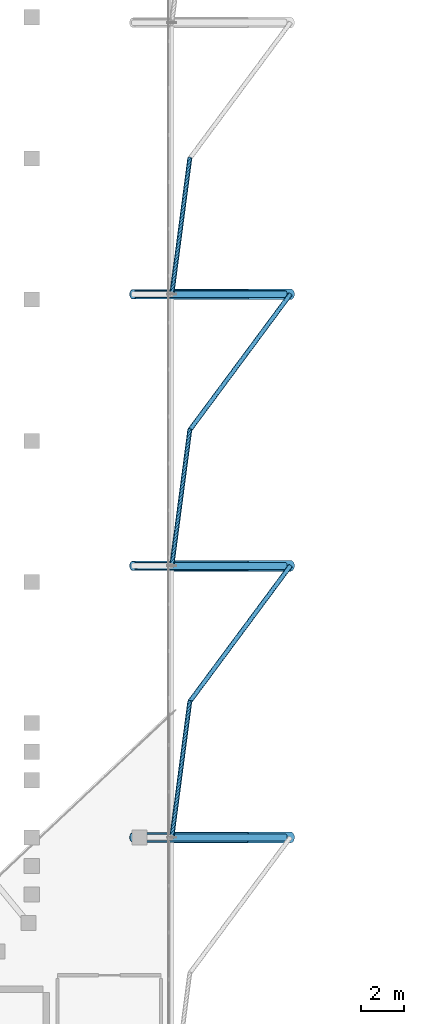
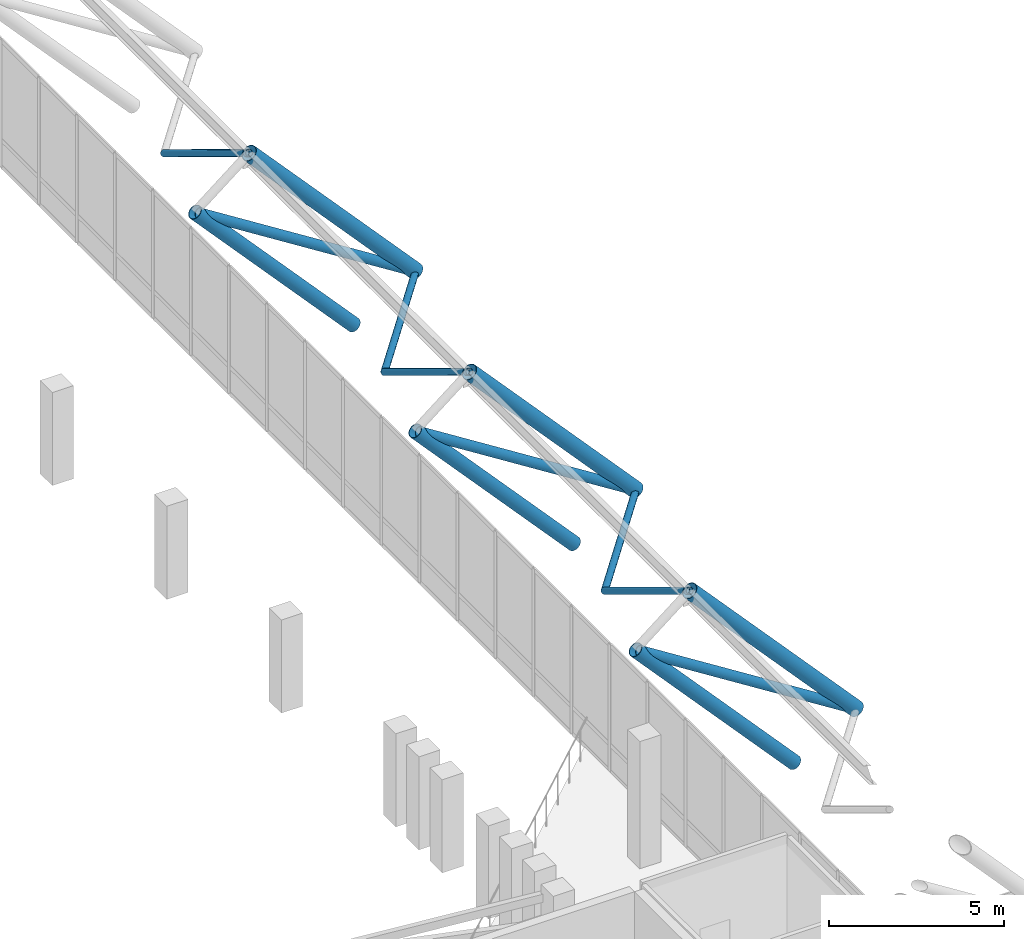
# One storey, part 21 of 79: 14 members.
"""IFC4 building model written with IfcOpenShell, lengths in metres."""

from ifc_helpers import new_model, si_unit, derived_unit, direction, frame, origin, origin_2d, place, context, subcontext, project, spatial, hollow_circle, extrude, material, material_profile, profile_set, type_object, element, save


model = new_model("IFC4")

# Units and contexts
model_context = context("Model", 3, precision=1e-05, world=origin(), true_north=direction((0.0, 1.0)))
body_context = subcontext(model_context, "Body", "Model", "MODEL_VIEW")
ifc_project = project(units=[si_unit("LENGTHUNIT", "METRE"), si_unit("AREAUNIT", "SQUARE_METRE"), si_unit("VOLUMEUNIT", "CUBIC_METRE"), si_unit("PLANEANGLEUNIT", "RADIAN"), si_unit("MASSUNIT", "GRAM", prefix="KILO"), derived_unit("THERMALTRANSMITTANCEUNIT", [(si_unit("MASSUNIT", "GRAM", prefix="KILO"), 1), (si_unit("TIMEUNIT", "SECOND"), -3), (si_unit("THERMODYNAMICTEMPERATUREUNIT", "KELVIN"), -1)])], contexts=[model_context])

# Site, building, storey
site_placement = place(None, origin())
site = spatial("IfcSite", under=ifc_project, at=site_placement, CompositionType="ELEMENT")
building_placement = place(site_placement, origin())
building = spatial("IfcBuilding", under=site, at=building_placement, Name="Valcora Ridge Arena", CompositionType="ELEMENT")
storey_placement = place(building_placement, frame((0.0, 0.0, 16.199951171875)))
storey = spatial("IfcBuildingStorey", under=building, at=storey_placement, Name="L03", CompositionType="ELEMENT", Elevation=16.199951171875)

# Members
ifc_material = material(Name="Steel ASTM A500 Grade C", Category="steel")
ifc_material_profile_1 = material_profile(ifc_material, hollow_circle(Radius=0.228515625, WallThickness=0.01611328125, at=origin_2d()), Name="CHS457X16")
ifc_profile_set_1 = profile_set([ifc_material_profile_1], Name="Steel ASTM A500 Grade C")
member_type_1 = type_object("IfcMemberType", Name="TY-MEMBER-SFBC-457", PredefinedType="CHORD", material=ifc_profile_set_1)
for number, where, z_axis, x_axis, name in (
    (1, (93.705322265625, 32.60009765625, 7.423095703125), (0.672624540647, 0.0, -0.739983937204), (0.0, 1.0, 0.0), "SFBC-457 Space Frame Bottom Chord"),
    (2, (93.705322265625, 45.199951171875, 7.423095703125), (0.672624540647, 0.0, -0.739983937204), (0.0, 1.0, 0.0), "SFBC-457 Space Frame Bottom Chord"),
    (3, (93.705322265625, 57.800048828125, 7.423095703125), (0.672624540647, 0.0, -0.739983937204), (0.0, 1.0, 0.0), "SFBC-457 Space Frame Bottom Chord"),
):
    element("IfcMember", number, at=place(storey_placement, frame(where, z_axis=z_axis, x_axis=x_axis)), inside=storey, type_object=member_type_1, Name=name, PredefinedType="CHORD", context=body_context, shape_type="SweptSolid", body=[
        extrude(hollow_circle(Radius=0.228515625, WallThickness=0.01611328125, at=origin_2d()), origin(), (0.0, 0.0, 1.0), 7.80712890625),
    ])
ifc_material_profile_2 = material_profile(ifc_material, hollow_circle(Radius=0.109619140625, WallThickness=0.010009765625, at=origin_2d()), Name="CHS219X10")
ifc_profile_set_2 = profile_set([ifc_material_profile_2], Name="Steel ASTM A500 Grade C")
member_type_2 = type_object("IfcMemberType", Name="TY-MEMBER-SFST-219", PredefinedType="STRUT", material=ifc_profile_set_2)
member_1_placement = place(storey_placement, frame((96.330810546875, 38.89990234375, 4.74072265625), z_axis=(-0.109756171146, -0.832250437923, 0.543426896162), x_axis=(0.991415805318, -0.130746705375, 0.0)))
element("IfcMember", 4, at=member_1_placement, inside=storey, type_object=member_type_2, Name="SFST-219 Space Frame Tie Strut", PredefinedType="STRUT", context=body_context, shape_type="SweptSolid", body=[
    extrude(hollow_circle(Radius=0.109619140625, WallThickness=0.010009765625, at=origin_2d()), origin(), (0.0, 0.0, 1.0), 7.569580078125),
])
member_2_placement = place(storey_placement, frame((96.330810546875, 38.89990234375, 4.74072265625), z_axis=(0.578057899138, 0.779962566654, -0.23980713055), x_axis=(-0.803405497259, 0.595432285801, 0.0)))
element("IfcMember", 5, at=member_2_placement, inside=storey, type_object=member_type_2, Name="SFST-219 Space Frame Tie Strut", PredefinedType="STRUT", context=body_context, shape_type="SweptSolid", body=[
    extrude(hollow_circle(Radius=0.109619140625, WallThickness=0.010009765625, at=origin_2d()), origin(), (0.0, 0.0, 1.0), 8.077392578125),
])
member_3_placement = place(storey_placement, frame((96.330810546875, 51.5, 4.74072265625), z_axis=(-0.109753225091, -0.832260350709, 0.543412309595), x_axis=(0.991416462076, -0.130741725264, 0.0)))
element("IfcMember", 6, at=member_3_placement, inside=storey, type_object=member_type_2, Name="SFST-219 Space Frame Tie Strut", PredefinedType="STRUT", context=body_context, shape_type="SweptSolid", body=[
    extrude(hollow_circle(Radius=0.109619140625, WallThickness=0.010009765625, at=origin_2d()), origin(), (0.0, 0.0, 1.0), 7.56982421875),
])
member_4_placement = place(storey_placement, frame((96.330810546875, 51.5, 4.74072265625), z_axis=(0.578057899138, 0.779962566654, -0.23980713055), x_axis=(-0.803405497259, 0.595432285801, 0.0)))
element("IfcMember", 7, at=member_4_placement, inside=storey, type_object=member_type_2, Name="SFST-219 Space Frame Tie Strut", PredefinedType="STRUT", context=body_context, shape_type="SweptSolid", body=[
    extrude(hollow_circle(Radius=0.109619140625, WallThickness=0.010009765625, at=origin_2d()), origin(), (0.0, 0.0, 1.0), 8.077392578125),
])
member_5_placement = place(storey_placement, frame((96.330810546875, 64.10009765625, 4.74072265625), z_axis=(-0.109753225091, -0.832260350709, 0.543412309595), x_axis=(0.991416462076, -0.130741725264, 0.0)))
element("IfcMember", 8, at=member_5_placement, inside=storey, type_object=member_type_2, Name="SFST-219 Space Frame Tie Strut", PredefinedType="STRUT", context=body_context, shape_type="SweptSolid", body=[
    extrude(hollow_circle(Radius=0.109619140625, WallThickness=0.010009765625, at=origin_2d()), origin(), (0.0, 0.0, 1.0), 7.56982421875),
])
ifc_material_profile_3 = material_profile(ifc_material, hollow_circle(Radius=0.25390625, WallThickness=0.01611328125, at=origin_2d()), Name="CHS508X16")
ifc_profile_set_3 = profile_set([ifc_material_profile_3], Name="Steel ASTM A500 Grade C")
member_type_3 = type_object("IfcMemberType", Name="TY-MEMBER-SFTC-508", PredefinedType="CHORD", material=ifc_profile_set_3)
for number, where, z_axis, x_axis, name in (
    (9, (95.5, 32.60009765625, 8.854248046875), (0.672640098199, 0.0, -0.739969795529), (0.0, 1.0, 0.0), "SFTC-508 Space Frame Top Chord"),
    (10, (95.5, 45.199951171875, 8.854248046875), (0.672640098199, 0.0, -0.739969795529), (0.0, 1.0, 0.0), "SFTC-508 Space Frame Top Chord"),
    (11, (95.5, 57.800048828125, 8.854248046875), (0.672640098199, 0.0, -0.739969795529), (0.0, 1.0, 0.0), "SFTC-508 Space Frame Top Chord"),
):
    element("IfcMember", number, at=place(storey_placement, frame(where, z_axis=z_axis, x_axis=x_axis)), inside=storey, type_object=member_type_3, Name=name, PredefinedType="CHORD", context=body_context, shape_type="SweptSolid", body=[
        extrude(hollow_circle(Radius=0.25390625, WallThickness=0.01611328125, at=origin_2d()), origin(), (0.0, 0.0, 1.0), 8.1767578125),
    ])
ifc_material_profile_4 = material_profile(ifc_material, hollow_circle(Radius=0.161865234375, WallThickness=0.012451171875, at=origin_2d()), Name="CHS323X12")
ifc_profile_set_4 = profile_set([ifc_material_profile_4], Name="Steel ASTM A500 Grade C")
member_type_4 = type_object("IfcMemberType", Name="TY-MEMBER-SFWB-323", PredefinedType="BRACE", material=ifc_profile_set_4)
for number, where, z_axis, x_axis, name in (
    (12, (93.840576171875, 32.60009765625, 7.33740234375), (0.84484331641, 0.0, -0.535013804231), (0.0, 1.0, 0.0), "SFWB-323 Space Frame Diagonal Brace"),
    (13, (93.840576171875, 45.199951171875, 7.33740234375), (0.84484331641, 0.0, -0.535013804231), (0.0, 1.0, 0.0), "SFWB-323 Space Frame Diagonal Brace"),
    (14, (93.840576171875, 57.800048828125, 7.33740234375), (0.84484331641, 0.0, -0.535013804231), (0.0, 1.0, 0.0), "SFWB-323 Space Frame Diagonal Brace"),
):
    element("IfcMember", number, at=place(storey_placement, frame(where, z_axis=z_axis, x_axis=x_axis)), inside=storey, type_object=member_type_4, Name=name, PredefinedType="BRACE", context=body_context, shape_type="SweptSolid", body=[
        extrude(hollow_circle(Radius=0.161865234375, WallThickness=0.012451171875, at=origin_2d()), origin(), (0.0, 0.0, 1.0), 8.1943359375),
    ])

save(model, "model.ifc")
